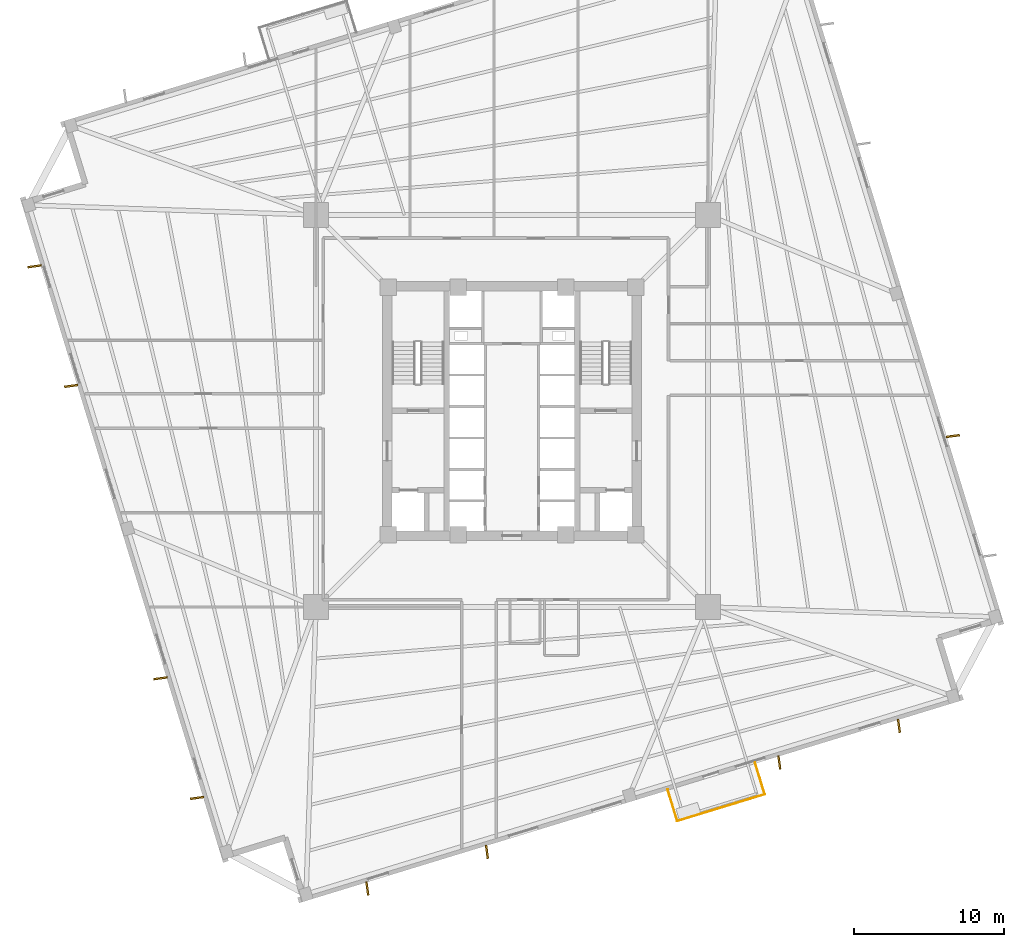
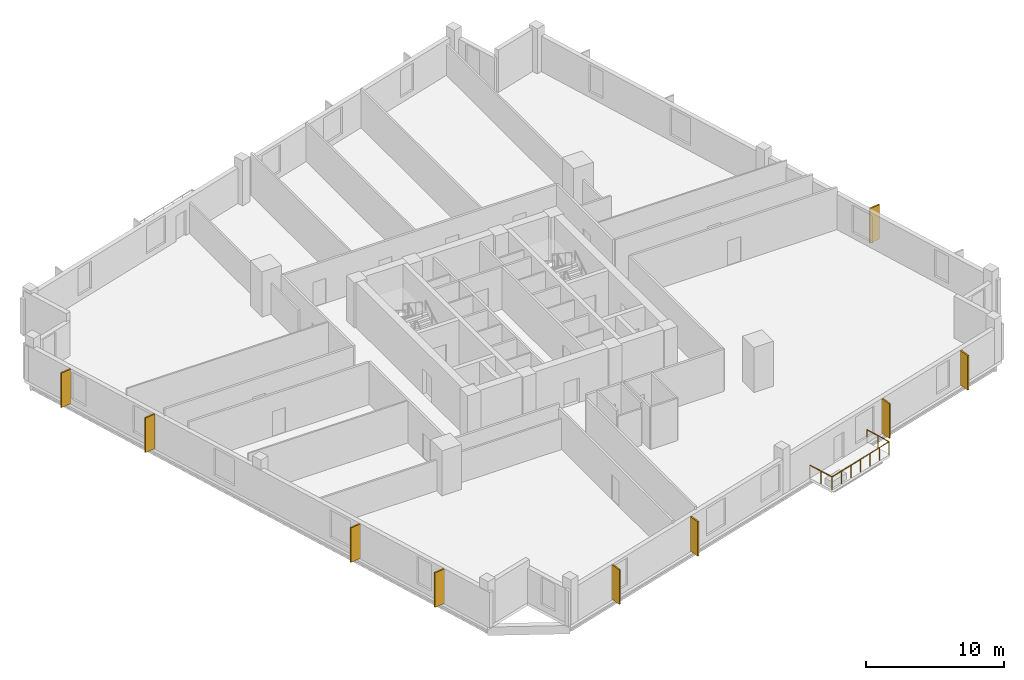
# One storey, part 6 of 8: 9 coverings, 3 railings.
"""IFC4 building model written with IfcOpenShell, lengths in metres."""

from ifc_helpers import new_model, si_unit, direction, frame, origin, origin_2d, place, context, subcontext, project, spatial, rectangle, circle, extrude, source, transform, mapped, material, layer, layer_set, type_object, element, save


model = new_model("IFC4")

# Units and contexts
model_context = context("Model", 3, precision=1e-05, world=origin(), true_north=direction((0.0, 1.0)))
body_context = subcontext(model_context, "Body", "Model", "MODEL_VIEW")
ifc_project = project(units=[si_unit("LENGTHUNIT", "METRE"), si_unit("AREAUNIT", "SQUARE_METRE"), si_unit("VOLUMEUNIT", "CUBIC_METRE"), si_unit("PLANEANGLEUNIT", "RADIAN"), si_unit("MASSUNIT", "GRAM", prefix="KILO"), si_unit("THERMODYNAMICTEMPERATUREUNIT", "KELVIN")], contexts=[model_context])

# Site, building, storey
site_placement = place(None, origin())
site = spatial("IfcSite", under=ifc_project, at=site_placement, CompositionType="ELEMENT")
building_placement = place(site_placement, origin())
building = spatial("IfcBuilding", under=site, at=building_placement, Name="Kosmvard Interchange Tower", CompositionType="ELEMENT")
storey_placement = place(building_placement, frame((0.0, 0.0, 87.199951171875)))
storey = spatial("IfcBuildingStorey", under=building, at=storey_placement, Name="L20", CompositionType="ELEMENT", Elevation=87.199951171875)

# Coverings
ifc_material_1 = material(Name="Architectural anodised aluminium", Category="aluminium")
ifc_layer = layer(ifc_material_1, 0.1201171875, Name="Architectural anodised aluminium")
ifc_layer_set = layer_set([ifc_layer], Name="Architectural anodised aluminium")
covering_type = type_object("IfcCoveringType", Name="Rotating Vertical Sun-Breaker Fin 900x120 Aluminium", PredefinedType="CLADDING", material=ifc_layer_set)
shared_shape_1 = source(origin(), body_context, "Body", "SweptSolid", [
    extrude(rectangle(XDim=0.89990234375, YDim=0.1201171875, at=origin_2d()), origin(), (0.0, 0.0, 1.0), 3.06005859375),
])
for number, where, z_axis, x_axis, name in (
    (1, (-9.6572265625, -31.865966796875, 0.0400390625), (0.0, 0.0, 1.0), (0.135023866942, -0.990842346368, 0.0), "L20 Rotating Vertical Sun-Breaker Fin 01"),
    (2, (-1.673583984375, -29.425048828125, 0.0400390625), (0.0, 0.0, 1.0), (0.135023866942, -0.990842346368, 0.0), "L20 Rotating Vertical Sun-Breaker Fin 02"),
    (3, (17.841796875, -23.45849609375, 0.0400390625), (0.0, 0.0, 1.0), (0.135023866942, -0.990842346368, 0.0), "L20 Rotating Vertical Sun-Breaker Fin 03"),
    (4, (25.825439453125, -21.017822265625, 0.0400390625), (0.0, 0.0, 1.0), (0.135023866942, -0.990842346368, 0.0), "L20 Rotating Vertical Sun-Breaker Fin 04"),
    (5, (29.425048828125, -1.673583984375, 0.0400390625), (0.0, 0.0, 1.0), (0.990842346368, 0.135023866942, 0.0), "L20 Rotating Vertical Sun-Breaker Fin 06"),
    (6, (-31.865966796875, 9.6572265625, 0.0400390625), (0.0, 0.0, 1.0), (-0.990842346368, -0.135023866942, 0.0), "L20 Rotating Vertical Sun-Breaker Fin 13"),
    (7, (-29.425048828125, 1.673583984375, 0.0400390625), (0.0, 0.0, 1.0), (-0.990842346368, -0.135023866942, 0.0), "L20 Rotating Vertical Sun-Breaker Fin 14"),
    (8, (-23.45849609375, -17.841796875, 0.0400390625), (0.0, 0.0, 1.0), (-0.990842346368, -0.135023866942, 0.0), "L20 Rotating Vertical Sun-Breaker Fin 15"),
    (9, (-21.017822265625, -25.825439453125, 0.0400390625), (0.0, 0.0, 1.0), (-0.990842346368, -0.135023866942, 0.0), "L20 Rotating Vertical Sun-Breaker Fin 16"),
):
    element("IfcCovering", number, at=place(storey_placement, frame(where, z_axis=z_axis, x_axis=x_axis)), inside=storey, type_object=covering_type, Name=name, PredefinedType="CLADDING", context=body_context, shape_type="MappedRepresentation", body=[
        mapped(shared_shape_1, transform((0.0, 0.0, 0.0), scale=1.0)),
    ])

# Railings
ifc_material_2 = material(Name="Steel S355", Category="steel")
railing_type = type_object("IfcRailingType", Name="Observation & Balcony Glass-Infill Balustrade 1150", PredefinedType="BALUSTRADE", material=ifc_material_2)
shared_shape_2 = source(origin(), body_context, "Body", "SweptSolid", [
    extrude(circle(Radius=0.02392578125, at=origin_2d()), frame((0.0, 0.0, 1.1259765625), z_axis=(0.292291835236, -0.956329170869, 0.0), x_axis=(0.956329170869, 0.292291835236, 0.0)), (0.0, 0.0, 1.0), 2.2001953125),
    extrude(circle(Radius=0.02099609375, at=origin_2d()), origin(), (0.0, 0.0, 1.0), 1.101806640625),
    extrude(circle(Radius=0.02099609375, at=origin_2d()), frame((0.321533203125, -1.052001953125, 0.0)), (0.0, 0.0, 1.0), 1.101806640625),
    extrude(circle(Radius=0.02099609375, at=origin_2d()), frame((0.64306640625, -2.10400390625, 0.0)), (0.0, 0.0, 1.0), 1.101806640625),
])
railing_1_placement = place(storey_placement, frame((10.39111328125, -25.265869140625, 0.0)))
element("IfcRailing", 10, at=railing_1_placement, inside=storey, type_object=railing_type, Name="L20 Outdoor Terrace Guard BAL-L20-SW-A", PredefinedType="BALUSTRADE", context=body_context, shape_type="MappedRepresentation", body=[
    mapped(shared_shape_2, transform((0.0, 0.0, 0.0), scale=1.0)),
])
shared_shape_3 = source(origin(), body_context, "Body", "SweptSolid", [
    extrude(circle(Radius=0.02392578125, at=origin_2d()), frame((0.0, 0.0, 1.1259765625), z_axis=(0.956306198406, 0.292366986664, 0.0), x_axis=(-0.292366986664, 0.956306198406, 0.0)), (0.0, 0.0, 1.0), 6.10009765625),
    extrude(circle(Radius=0.02099609375, at=origin_2d()), origin(), (0.0, 0.0, 1.0), 1.101806640625),
    extrude(circle(Radius=0.02099609375, at=origin_2d()), frame((0.97216796875, 0.29736328125, 0.0)), (0.0, 0.0, 1.0), 1.101806640625),
    extrude(circle(Radius=0.02099609375, at=origin_2d()), frame((1.944580078125, 0.594482421875, 0.0)), (0.0, 0.0, 1.0), 1.101806640625),
    extrude(circle(Radius=0.02099609375, at=origin_2d()), frame((2.916748046875, 0.8916015625, 0.0)), (0.0, 0.0, 1.0), 1.101806640625),
    extrude(circle(Radius=0.02099609375, at=origin_2d()), frame((3.888916015625, 1.18896484375, 0.0)), (0.0, 0.0, 1.0), 1.101806640625),
    extrude(circle(Radius=0.02099609375, at=origin_2d()), frame((4.861328125, 1.486328125, 0.0)), (0.0, 0.0, 1.0), 1.101806640625),
    extrude(circle(Radius=0.02099609375, at=origin_2d()), frame((5.83349609375, 1.783447265625, 0.0)), (0.0, 0.0, 1.0), 1.101806640625),
])
railing_2_placement = place(storey_placement, frame((11.0341796875, -27.369873046875, 0.0)))
element("IfcRailing", 11, at=railing_2_placement, inside=storey, type_object=railing_type, Name="L20 Outdoor Terrace Guard BAL-L20-SW-B", PredefinedType="BALUSTRADE", context=body_context, shape_type="MappedRepresentation", body=[
    mapped(shared_shape_3, transform((0.0, 0.0, 0.0), scale=1.0)),
])
shared_shape_4 = source(origin(), body_context, "Body", "SweptSolid", [
    extrude(circle(Radius=0.02392578125, at=origin_2d()), frame((0.0, 0.0, 1.1259765625), z_axis=(-0.292291835236, 0.956329170869, 0.0), x_axis=(-0.956329170869, -0.292291835236, 0.0)), (0.0, 0.0, 1.0), 2.2001953125),
    extrude(circle(Radius=0.02099609375, at=origin_2d()), origin(), (0.0, 0.0, 1.0), 1.101806640625),
    extrude(circle(Radius=0.02099609375, at=origin_2d()), frame((-0.321533203125, 1.052001953125, 0.0)), (0.0, 0.0, 1.0), 1.101806640625),
    extrude(circle(Radius=0.02099609375, at=origin_2d()), frame((-0.64306640625, 2.10400390625, 0.0)), (0.0, 0.0, 1.0), 1.101806640625),
])
railing_3_placement = place(storey_placement, frame((16.86767578125, -25.58642578125, 0.0)))
element("IfcRailing", 12, at=railing_3_placement, inside=storey, type_object=railing_type, Name="L20 Outdoor Terrace Guard BAL-L20-SW-C", PredefinedType="BALUSTRADE", context=body_context, shape_type="MappedRepresentation", body=[
    mapped(shared_shape_4, transform((0.0, 0.0, 0.0), scale=1.0)),
])

save(model, "model.ifc")
